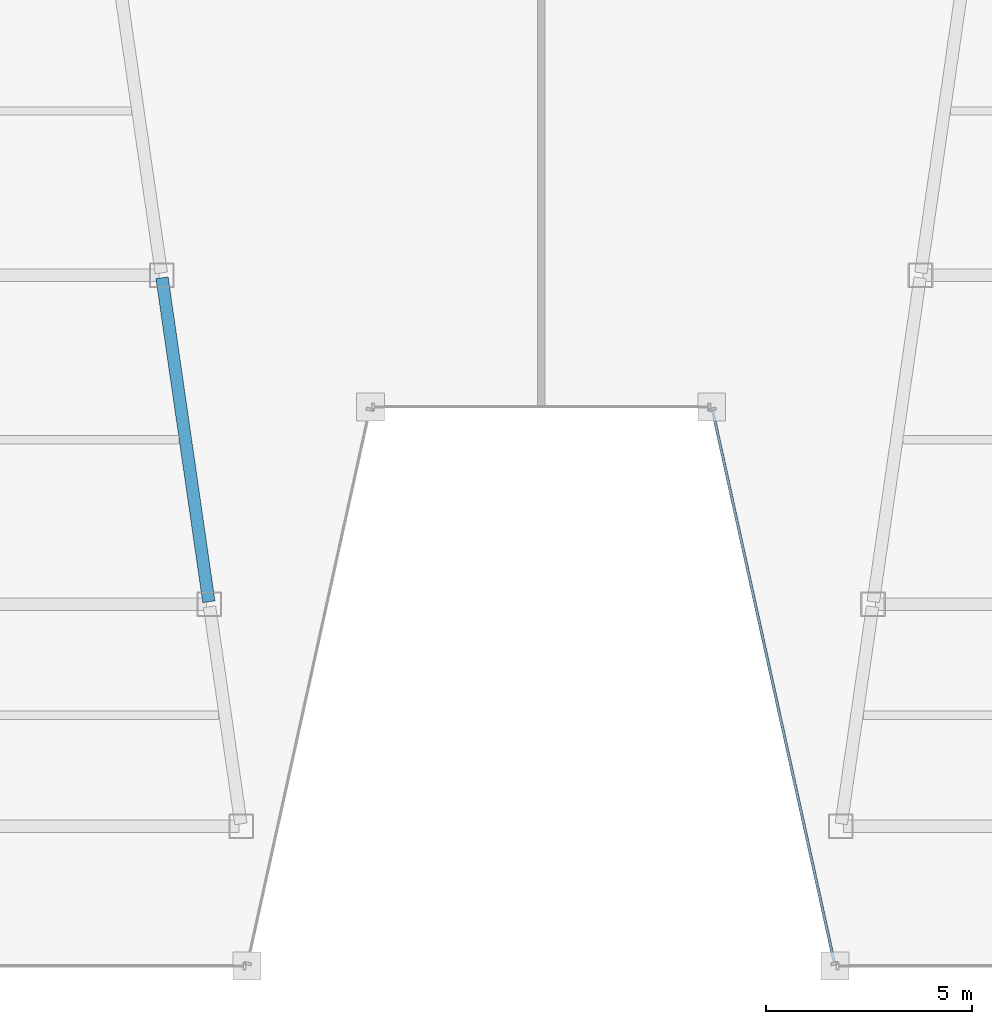
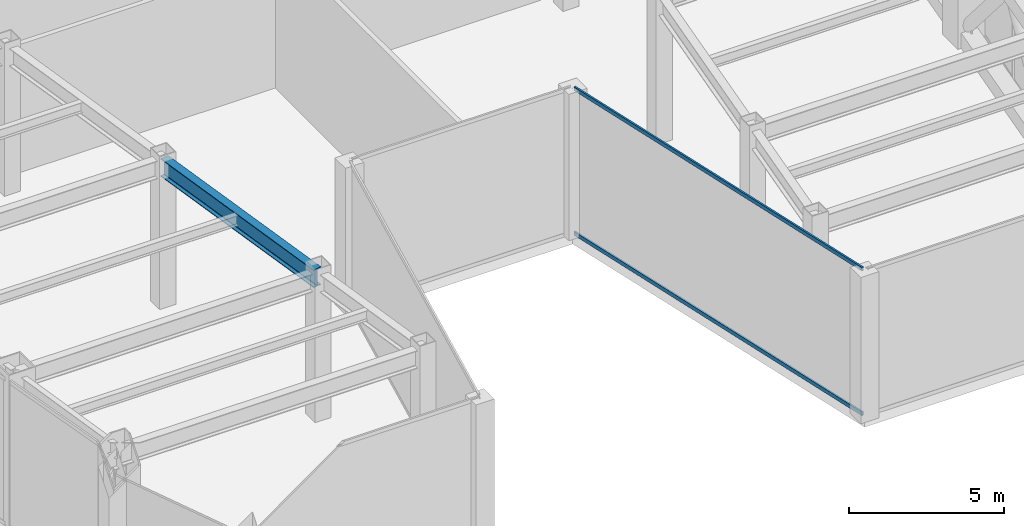
# One storey, part 6 of 30: 2 members, 1 beam, 1 element without a shape of its own.
"""IFC4 building model written with IfcOpenShell, lengths in metres."""

from ifc_helpers import new_model, si_unit, direction, frame, origin, origin_2d, place, context, subcontext, project, spatial, hollow_rectangle, i_section, extrude, material, material_profile, profile_set, type_object, element, aggregate, save


model = new_model("IFC4")

# Units and contexts
model_context = context("Model", 3, precision=1e-05, world=origin(), true_north=direction((0.0, 1.0)))
body_context = subcontext(model_context, "Body", "Model", "MODEL_VIEW")
ifc_project = project(units=[si_unit("LENGTHUNIT", "METRE"), si_unit("AREAUNIT", "SQUARE_METRE"), si_unit("VOLUMEUNIT", "CUBIC_METRE"), si_unit("PLANEANGLEUNIT", "RADIAN"), si_unit("MASSUNIT", "GRAM", prefix="KILO")], contexts=[model_context])

# Site, building, storey
site_placement = place(None, origin())
site = spatial("IfcSite", under=ifc_project, at=site_placement, CompositionType="ELEMENT")
building_placement = place(site_placement, origin())
building = spatial("IfcBuilding", under=site, at=building_placement, Name="Saevonmaru Cultural Tower", CompositionType="ELEMENT")
storey_placement = place(building_placement, frame((0.0, 0.0, 123.60009765625)))
storey = spatial("IfcBuildingStorey", under=building, at=storey_placement, Name="L26", CompositionType="ELEMENT", Elevation=123.60009765625)

# Beam
ifc_material_1 = material(Name="Steel SM355", Category="steel")
ifc_material_profile_1 = material_profile(ifc_material_1, i_section(OverallWidth=0.300048828125, OverallDepth=0.699951171875, WebThickness=0.012939453125, FlangeThickness=0.02392578125, FilletRadius=0.02587890625, at=origin_2d()), Name="H-700x300x13x24")
ifc_profile_set_1 = profile_set([ifc_material_profile_1], Name="Steel SM355")
beam_type = type_object("IfcBeamType", Name="BM-G-H700", PredefinedType="BEAM", material=ifc_profile_set_1)
beam_placement = place(storey_placement, frame((21.91943359375, 16.059326171875, 5.39990234375), z_axis=(-0.143022161059, 0.989719486241, 0.0), x_axis=(-0.989719486241, -0.143022161059, 0.0)))
element("IfcBeam", 1, at=beam_placement, inside=storey, type_object=beam_type, Name="L26 West Atrium Girder 2", PredefinedType="BEAM", context=body_context, shape_type="SweptSolid", body=[
    extrude(i_section(OverallWidth=0.300048828125, OverallDepth=0.699951171875, WebThickness=0.012939453125, FlangeThickness=0.02392578125, FilletRadius=0.02587890625, at=origin_2d()), origin(), (0.0, 0.0, 1.0), 7.963134765625),
])

# Curtain wall, members
ifc_material_2 = material(Name="Satin Bronze Anodised Aluminium", Category="aluminium")
curtain_wall_type = type_object("IfcCurtainWallType", Name="CW-TYP-A", PredefinedType="NOTDEFINED", material=ifc_material_2)
curtain_wall_placement = place(storey_placement, origin())
curtain_wall = element("IfcCurtainWall", 2, at=curtain_wall_placement, inside=storey, type_object=curtain_wall_type, Name="L26 Wind-Floor Acoustic Louvre Screen E5", PredefinedType="NOTDEFINED")
ifc_material_profile_2 = material_profile(ifc_material_2, hollow_rectangle(XDim=0.06494140625, YDim=0.14990234375, WallThickness=0.00390625, at=origin_2d()), Name="ALU-TRAN-150x65x4")
ifc_profile_set_2 = profile_set([ifc_material_profile_2], Name="Satin Bronze Anodised Aluminium")
member_type = type_object("IfcMemberType", Name="TR-CW-150x65", PredefinedType="USERDEFINED", material=ifc_profile_set_2)
member_1_placement = place(storey_placement, frame((34.1708984375, 20.709716796875, 0.032470703125), z_axis=(0.21541214732, -0.976523223885, 0.0), x_axis=(0.976523223885, 0.21541214732, 0.0)))
member_1 = element("IfcMember", 3, at=member_1_placement, type_object=member_type, Name="CW-TW-L26-E5 transom 1.1", ObjectType="TRANSOM", PredefinedType="USERDEFINED", context=body_context, shape_type="SweptSolid", body=[
    extrude(hollow_rectangle(XDim=0.06494140625, YDim=0.14990234375, WallThickness=0.00390625, at=origin_2d()), origin(), (0.0, 0.0, 1.0), 13.741943359375),
])
member_2_placement = place(storey_placement, frame((34.1708984375, 20.709716796875, 5.71728515625), z_axis=(0.21541214732, -0.976523223885, 0.0), x_axis=(0.976523223885, 0.21541214732, 0.0)))
member_2 = element("IfcMember", 4, at=member_2_placement, type_object=member_type, Name="CW-TW-L26-E5 transom 1.2", ObjectType="TRANSOM", PredefinedType="USERDEFINED", context=body_context, shape_type="SweptSolid", body=[
    extrude(hollow_rectangle(XDim=0.06494140625, YDim=0.14990234375, WallThickness=0.00390625, at=origin_2d()), origin(), (0.0, 0.0, 1.0), 13.741943359375),
])
aggregate(curtain_wall, [member_1, member_2])

save(model, "model.ifc")
